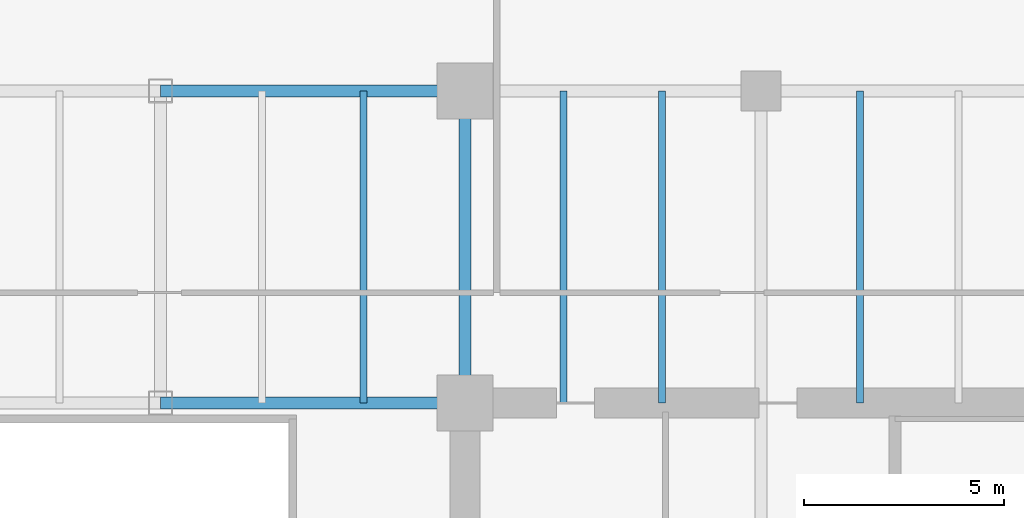
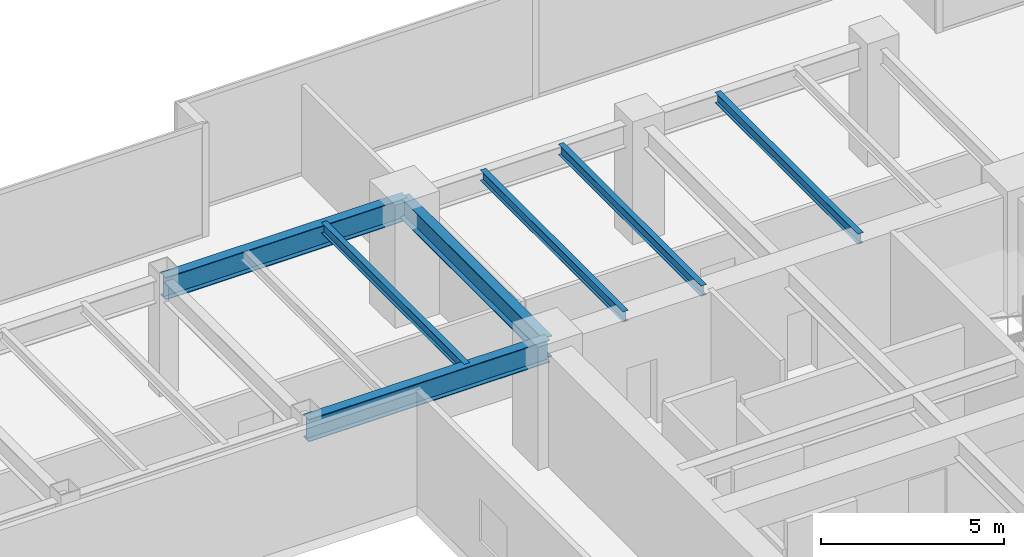
# One storey, part 19 of 35: 7 beams.
"""IFC4 building model written with IfcOpenShell, lengths in metres."""

from ifc_helpers import new_model, si_unit, direction, frame, origin, origin_2d, place, context, subcontext, project, spatial, i_section, extrude, source, transform, mapped, material, material_profile, profile_set, type_object, type_shapes, element, save


model = new_model("IFC4")

# Units and contexts
model_context = context("Model", 3, precision=1e-05, world=origin(), true_north=direction((0.0, 1.0)))
body_context = subcontext(model_context, "Body", "Model", "MODEL_VIEW")
ifc_project = project(units=[si_unit("LENGTHUNIT", "METRE"), si_unit("AREAUNIT", "SQUARE_METRE"), si_unit("VOLUMEUNIT", "CUBIC_METRE"), si_unit("PLANEANGLEUNIT", "RADIAN"), si_unit("MASSUNIT", "GRAM", prefix="KILO")], contexts=[model_context])

# Site, building, storey
site_placement = place(None, origin())
site = spatial("IfcSite", under=ifc_project, at=site_placement, CompositionType="ELEMENT")
building_placement = place(site_placement, origin())
building = spatial("IfcBuilding", under=site, at=building_placement, Name="Haelvirn Gate Laboratories", CompositionType="ELEMENT")
storey_placement = place(building_placement, frame((0.0, 0.0, 58.0)))
storey = spatial("IfcBuildingStorey", under=building, at=storey_placement, Name="L14", CompositionType="ELEMENT", Elevation=58.0)

# Beams
ifc_material = material(Name="Steel SM355", Category="steel")
ifc_material_profile_1 = material_profile(ifc_material, i_section(OverallWidth=0.300048828125, OverallDepth=0.699951171875, WebThickness=0.012939453125, FlangeThickness=0.02392578125, at=origin_2d()), Name="H-700x300x13x24")
ifc_profile_set_1 = profile_set([ifc_material_profile_1], Name="Steel SM355")
beam_type_1 = type_object("IfcBeamType", Name="BM-G-700", PredefinedType="BEAM", material=ifc_profile_set_1)
shared_shape_1 = source(origin(), body_context, "Body", "SweptSolid", [
    extrude(i_section(OverallWidth=0.300048828125, OverallDepth=0.699951171875, WebThickness=0.012939453125, FlangeThickness=0.02392578125, at=origin_2d()), origin(), (0.0, 0.0, 1.0), 7.800048828125),
])
type_shapes(beam_type_1, [shared_shape_1])
beam_placement = place(storey_placement, frame((52.60009765625, 33.800048828125, 3.429931640625), z_axis=(0.0, 1.0, 0.0), x_axis=(-1.0, 0.0, 0.0)))
element("IfcBeam", 1, at=beam_placement, inside=storey, type_object=beam_type_1, Name="L14 Frame Girder X52.6 (33.8-41.6)", PredefinedType="BEAM", context=body_context, shape_type="MappedRepresentation", body=[
    mapped(shared_shape_1, transform((0.0, 0.0, 0.0), scale=1.0)),
])
ifc_material_profile_2 = material_profile(ifc_material, i_section(OverallWidth=0.300048828125, OverallDepth=0.75, WebThickness=0.013916015625, FlangeThickness=0.02392578125, at=origin_2d()), Name="H-750x300x14x24")
ifc_profile_set_2 = profile_set([ifc_material_profile_2], Name="Steel SM355")
beam_type_2 = type_object("IfcBeamType", Name="BM-G-750", PredefinedType="BEAM", material=ifc_profile_set_2)
shared_shape_2 = source(origin(), body_context, "Body", "SweptSolid", [
    extrude(i_section(OverallWidth=0.300048828125, OverallDepth=0.75, WebThickness=0.013916015625, FlangeThickness=0.02392578125, at=origin_2d()), origin(), (0.0, 0.0, 1.0), 7.60009765625),
])
type_shapes(beam_type_2, [shared_shape_2])
for number, where, z_axis, x_axis, name in (
    (2, (45.0, 33.800048828125, 3.405029296875), (1.0, 0.0, 0.0), (0.0, 1.0, 0.0), "L14 Primary Girder Y33.8 (45.0-52.6)"),
    (3, (45.0, 41.60009765625, 3.405029296875), (1.0, 0.0, 0.0), (0.0, 1.0, 0.0), "L14 Primary Girder Y41.6 (45.0-52.6)"),
):
    element("IfcBeam", number, at=place(storey_placement, frame(where, z_axis=z_axis, x_axis=x_axis)), inside=storey, type_object=beam_type_2, Name=name, PredefinedType="BEAM", context=body_context, shape_type="MappedRepresentation", body=[
        mapped(shared_shape_2, transform((0.0, 0.0, 0.0), scale=1.0)),
    ])
ifc_material_profile_3 = material_profile(ifc_material, i_section(OverallWidth=0.175048828125, OverallDepth=0.35009765625, WebThickness=0.007080078125, FlangeThickness=0.010986328125, at=origin_2d()), Name="H-350x175x7x11")
ifc_profile_set_3 = profile_set([ifc_material_profile_3], Name="Steel SM355")
beam_type_3 = type_object("IfcBeamType", Name="BM-J-350", PredefinedType="JOIST", material=ifc_profile_set_3)
shared_shape_3 = source(origin(), body_context, "Body", "SweptSolid", [
    extrude(i_section(OverallWidth=0.175048828125, OverallDepth=0.35009765625, WebThickness=0.007080078125, FlangeThickness=0.010986328125, at=origin_2d()), origin(), (0.0, 0.0, 1.0), 7.800048828125),
])
type_shapes(beam_type_3, [shared_shape_3])
for number, where, z_axis, x_axis, name in (
    (4, (50.070068359375, 33.800048828125, 3.60498046875), (0.0, 1.0, 0.0), (-1.0, 0.0, 0.0), "L14 Composite Lab Joist North X50.07"),
    (5, (55.070068359375, 33.800048828125, 3.60498046875), (0.0, 1.0, 0.0), (-1.0, 0.0, 0.0), "L14 Composite Lab Joist North X55.07"),
    (6, (57.530029296875, 33.800048828125, 3.60498046875), (0.0, 1.0, 0.0), (-1.0, 0.0, 0.0), "L14 Composite Lab Joist North X57.53"),
    (7, (62.469970703125, 33.800048828125, 3.60498046875), (0.0, 1.0, 0.0), (-1.0, 0.0, 0.0), "L14 Composite Lab Joist North X62.47"),
):
    element("IfcBeam", number, at=place(storey_placement, frame(where, z_axis=z_axis, x_axis=x_axis)), inside=storey, type_object=beam_type_3, Name=name, PredefinedType="JOIST", context=body_context, shape_type="MappedRepresentation", body=[
        mapped(shared_shape_3, transform((0.0, 0.0, 0.0), scale=1.0)),
    ])

save(model, "model.ifc")
